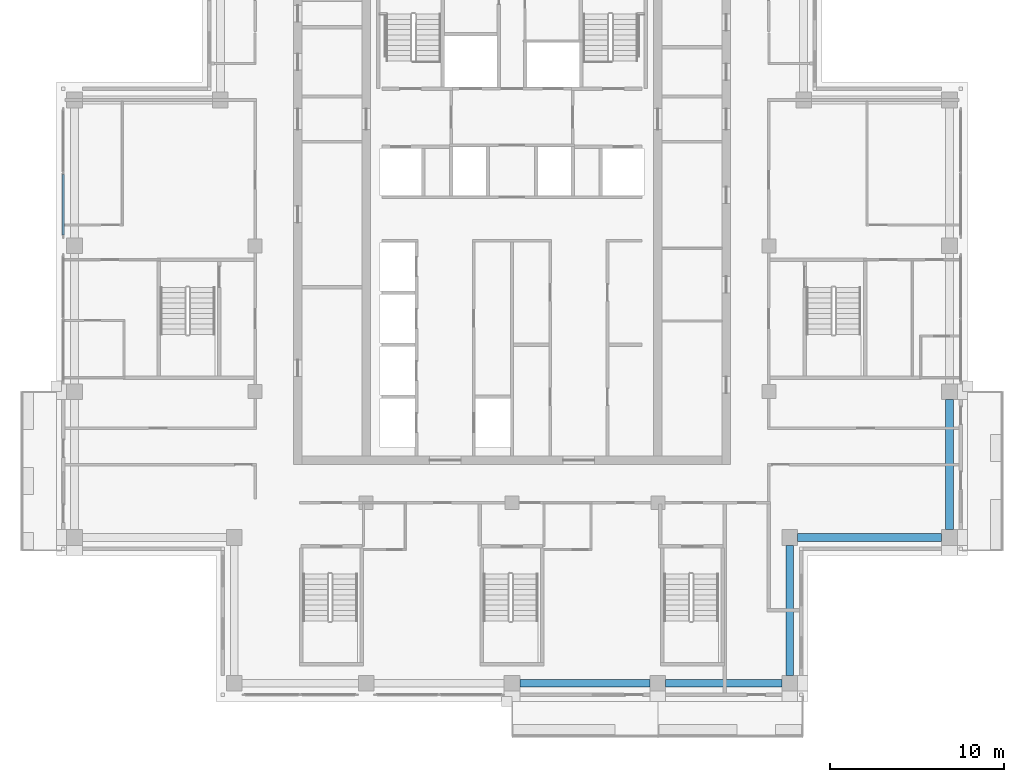
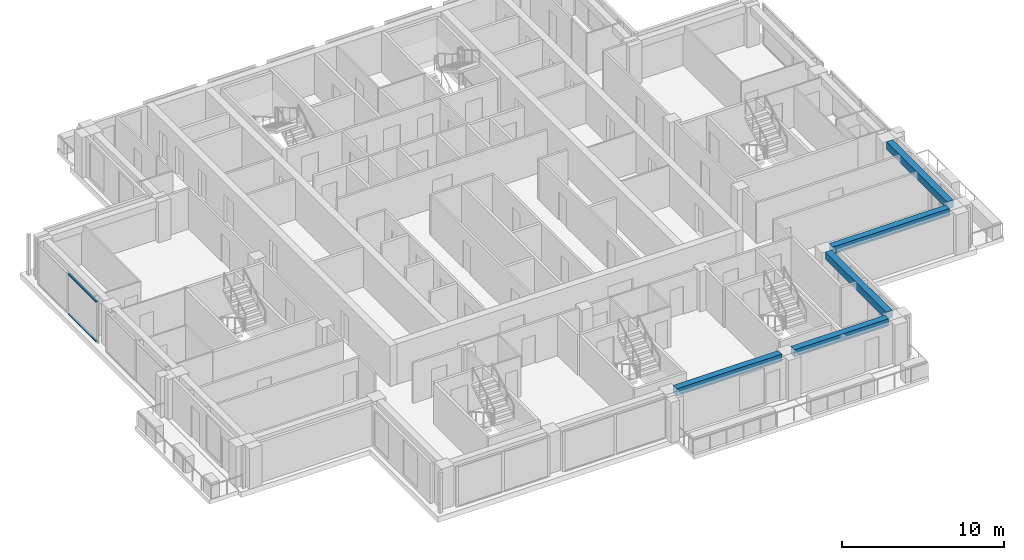
# One storey, part 3 of 17: 5 beams, 2 members, 1 element without a shape of its own.
"""IFC4 building model written with IfcOpenShell, lengths in metres."""

from ifc_helpers import new_model, si_unit, direction, frame, origin, origin_2d, place, context, subcontext, project, spatial, rectangle, extrude, material, material_profile, profile_set, type_object, element, aggregate, save


model = new_model("IFC4")

# Units and contexts
model_context = context("Model", 3, precision=1e-05, world=origin(), true_north=direction((0.0, 1.0)))
body_context = subcontext(model_context, "Body", "Model", "MODEL_VIEW")
ifc_project = project(units=[si_unit("LENGTHUNIT", "METRE"), si_unit("AREAUNIT", "SQUARE_METRE"), si_unit("VOLUMEUNIT", "CUBIC_METRE"), si_unit("PLANEANGLEUNIT", "RADIAN"), si_unit("MASSUNIT", "GRAM", prefix="KILO")], contexts=[model_context])

# Site, building, storey
site_placement = place(None, origin())
site = spatial("IfcSite", under=ifc_project, at=site_placement, CompositionType="ELEMENT")
building_placement = place(site_placement, origin())
building = spatial("IfcBuilding", under=site, at=building_placement, Name="Vermilion Ogive Tower", CompositionType="ELEMENT")
storey_placement = place(building_placement, frame((0.0, 0.0, 257.949951171875)))
storey = spatial("IfcBuildingStorey", under=building, at=storey_placement, Name="L68", CompositionType="ELEMENT", Elevation=257.949951171875)

# Curtain wall, members
ifc_material_1 = material(Name="Low-iron laminated glazing in aluminium frame", Category="aluminium")
curtain_wall_type = type_object("IfcCurtainWallType", Name="Curtain wall CW7", PredefinedType="NOTDEFINED", material=ifc_material_1)
curtain_wall_placement = place(storey_placement, origin())
curtain_wall = element("IfcCurtainWall", 1, at=curtain_wall_placement, inside=storey, type_object=curtain_wall_type, Name="Glazed skin W1", PredefinedType="NOTDEFINED")
ifc_material_2 = material(Name="Aluminium transom", Category="aluminium")
ifc_material_profile_1 = material_profile(ifc_material_2, rectangle(XDim=0.139892578125, YDim=0.06005859375, at=origin_2d()), Name="AL 60x140")
ifc_profile_set_1 = profile_set([ifc_material_profile_1], Name="Aluminium transom")
member_type = type_object("IfcMemberType", Name="CW7 transom 60x140", PredefinedType="USERDEFINED", material=ifc_profile_set_1)
member_1_placement = place(storey_placement, frame((-25.85009765625, 8.31005859375, 0.030029296875), z_axis=(0.0, -1.0, 0.0), x_axis=(1.0, 0.0, 0.0)))
member_1 = element("IfcMember", 2, at=member_1_placement, type_object=member_type, Name="CW7-W1 transom 2.1", ObjectType="TRANSOM", PredefinedType="USERDEFINED", context=body_context, shape_type="SweptSolid", body=[
    extrude(rectangle(XDim=0.139892578125, YDim=0.06005859375, at=origin_2d()), origin(), (0.0, 0.0, 1.0), 3.47998046875),
])
member_2_placement = place(storey_placement, frame((-25.85009765625, 8.31005859375, 3.02001953125), z_axis=(0.0, -1.0, 0.0), x_axis=(1.0, 0.0, 0.0)))
member_2 = element("IfcMember", 3, at=member_2_placement, type_object=member_type, Name="CW7-W1 transom 2.2", ObjectType="TRANSOM", PredefinedType="USERDEFINED", context=body_context, shape_type="SweptSolid", body=[
    extrude(rectangle(XDim=0.139892578125, YDim=0.06005859375, at=origin_2d()), origin(), (0.0, 0.0, 1.0), 3.47998046875),
])
aggregate(curtain_wall, [member_1, member_2])

# Beams
ifc_material_3 = material(Name="Concrete B45", Category="concrete")
ifc_material_profile_2 = material_profile(ifc_material_3, rectangle(XDim=0.449951171875, YDim=0.550048828125, at=origin_2d()), Name="450 x 550")
ifc_profile_set_2 = profile_set([ifc_material_profile_2], Name="Concrete B45")
beam_type = type_object("IfcBeamType", Name="Edge beam 450 x 550 B45", PredefinedType="BEAM", material=ifc_profile_set_2)
beam_1_placement = place(storey_placement, frame((0.449951171875, -21.0, 2.775146484375), z_axis=(1.0, 0.0, 0.0), x_axis=(0.0, 1.0, 0.0)))
element("IfcBeam", 4, at=beam_1_placement, inside=storey, type_object=beam_type, Name="L68-EB-3", PredefinedType="BEAM", context=body_context, shape_type="SweptSolid", body=[
    extrude(rectangle(XDim=0.449951171875, YDim=0.550048828125, at=origin_2d()), origin(), (0.0, 0.0, 1.0), 7.5),
])
beam_2_placement = place(storey_placement, frame((8.85009765625, -21.0, 2.775146484375), z_axis=(1.0, 0.0, 0.0), x_axis=(0.0, 1.0, 0.0)))
element("IfcBeam", 5, at=beam_2_placement, inside=storey, type_object=beam_type, Name="L68-EB-4", PredefinedType="BEAM", context=body_context, shape_type="SweptSolid", body=[
    extrude(rectangle(XDim=0.449951171875, YDim=0.550048828125, at=origin_2d()), origin(), (0.0, 0.0, 1.0), 6.699951171875),
])
beam_3_placement = place(storey_placement, frame((16.0, -20.550048828125, 2.775146484375), z_axis=(0.0, 1.0, 0.0), x_axis=(-1.0, 0.0, 0.0)))
element("IfcBeam", 6, at=beam_3_placement, inside=storey, type_object=beam_type, Name="L68-EB-5", PredefinedType="BEAM", context=body_context, shape_type="SweptSolid", body=[
    extrude(rectangle(XDim=0.449951171875, YDim=0.550048828125, at=origin_2d()), origin(), (0.0, 0.0, 1.0), 7.5),
])
beam_4_placement = place(storey_placement, frame((16.449951171875, -12.60009765625, 2.775146484375), z_axis=(1.0, 0.0, 0.0), x_axis=(0.0, 1.0, 0.0)))
element("IfcBeam", 7, at=beam_4_placement, inside=storey, type_object=beam_type, Name="L68-EB-6", PredefinedType="BEAM", context=body_context, shape_type="SweptSolid", body=[
    extrude(rectangle(XDim=0.449951171875, YDim=0.550048828125, at=origin_2d()), origin(), (0.0, 0.0, 1.0), 8.300048828125),
])
beam_5_placement = place(storey_placement, frame((25.199951171875, -12.14990234375, 2.775146484375), z_axis=(0.0, 1.0, 0.0), x_axis=(-1.0, 0.0, 0.0)))
element("IfcBeam", 8, at=beam_5_placement, inside=storey, type_object=beam_type, Name="L68-EB-7", PredefinedType="BEAM", context=body_context, shape_type="SweptSolid", body=[
    extrude(rectangle(XDim=0.449951171875, YDim=0.550048828125, at=origin_2d()), origin(), (0.0, 0.0, 1.0), 7.5),
])

save(model, "model.ifc")
